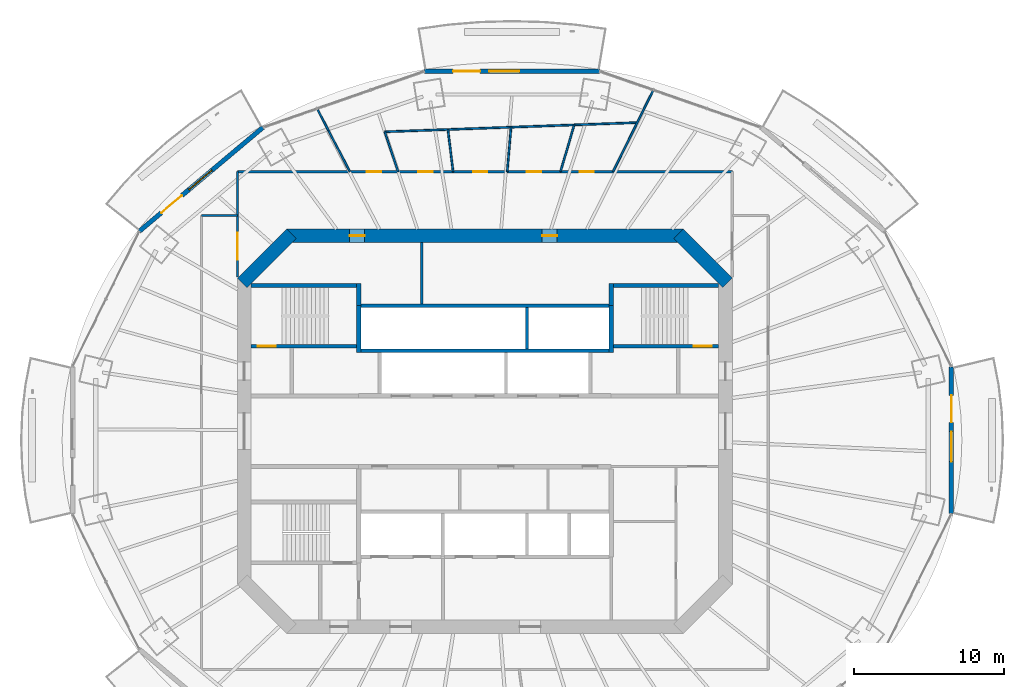
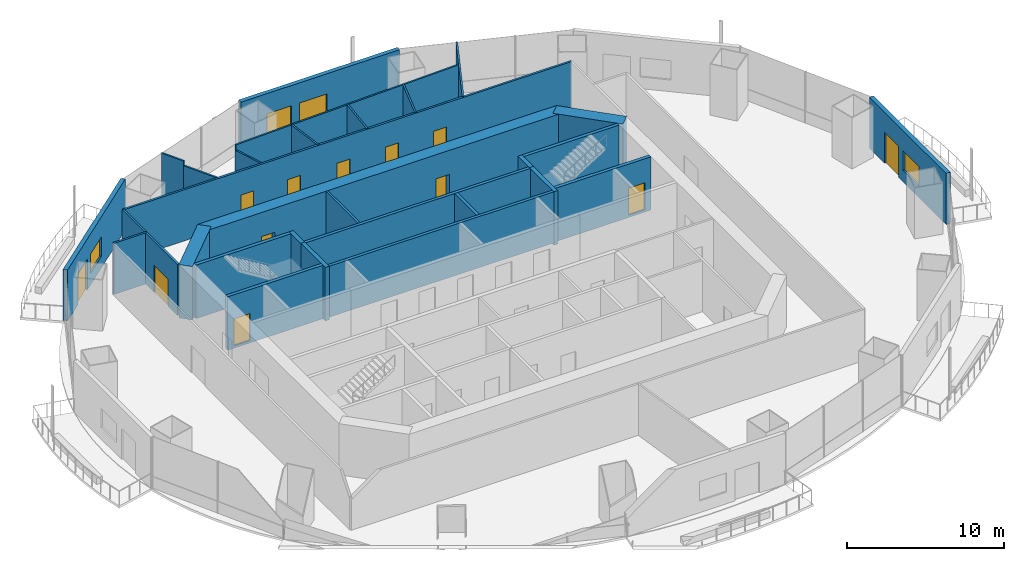
# One storey, part 12 of 19: 29 walls, 13 doors, 3 windows, 16 openings.
"""IFC4 building model written with IfcOpenShell, lengths in metres."""

import ifcopenshell
import ifcopenshell.guid

model = None  # the IFC model being written
_history = None  # IfcOwnerHistory: only IFC2X3 demands one
_inside = {}  # id of a spatial element -> (the spatial element, [elements in it])
_under = {}  # id of a project, library or spatial element -> (it, [spatial elements below it])
_declared = {}  # id of a project -> (the project, [libraries it declares])
_typed = {}  # id of a type object -> (the type object, [elements of that type])
_made_of = {}  # id of a material, layer set ... -> (it, [elements and type objects made of it])


def new_model(schema):
    """Start an empty IFC model of exactly this schema.

    Asked for "IFC4X3", IfcOpenShell would pick the latest addendum, in which some entities
    have other attributes; the version numbers below select the first issue.
    IFC2X3 requires an IfcOwnerHistory on every rooted entity: one is made here for all.
    """
    global model, _history
    if schema == "IFC4X3":
        model = ifcopenshell.file(schema_version=(4, 3, 0, 0))
    else:
        model = ifcopenshell.file(schema=schema)
    _inside.clear()
    _under.clear()
    _declared.clear()
    _typed.clear()
    _made_of.clear()
    _history = None
    if model.schema == "IFC2X3":
        org = make("IfcOrganization", Name="unknown")
        user = make(
            "IfcPersonAndOrganization",
            ThePerson=make("IfcPerson", FamilyName="unknown"),
            TheOrganization=org,
        )
        app = make(
            "IfcApplication",
            ApplicationDeveloper=org,
            Version="unknown",
            ApplicationFullName="unknown",
            ApplicationIdentifier="unknown",
        )
        _history = make(
            "IfcOwnerHistory",
            OwningUser=user,
            OwningApplication=app,
            ChangeAction="ADDED",
            CreationDate=0,
        )
    return model


def make(cls, **values):
    """One entity of the class cls with the attributes given. An attribute that is None is left unset."""
    return model.create_entity(
        cls, **{name: value for name, value in values.items() if value is not None}
    )


def rooted(cls, **values):
    """An entity with a GlobalId (a new one), such as an element, a storey or a relation."""
    return make(cls, GlobalId=ifcopenshell.guid.new(), OwnerHistory=_history, **values)


def si_unit(unit_type, name, prefix=None):
    """IfcSIUnit, for example si_unit("LENGTHUNIT", "METRE", prefix="MILLI")."""
    return make("IfcSIUnit", UnitType=unit_type, Prefix=prefix, Name=name)


def assignment(units):
    """IfcUnitAssignment: the units of a project."""
    return None if units is None else make("IfcUnitAssignment", Units=units)


def point(xyz):
    """IfcCartesianPoint."""
    return None if xyz is None else make("IfcCartesianPoint", Coordinates=xyz)


def direction(xyz):
    """IfcDirection."""
    return None if xyz is None else make("IfcDirection", DirectionRatios=xyz)


def frame(location, z_axis=None, x_axis=None):
    """IfcAxis2Placement3D, a coordinate frame: its origin and axes. An axis left out is left unset."""
    return make(
        "IfcAxis2Placement3D",
        Location=point(location),
        Axis=direction(z_axis),
        RefDirection=direction(x_axis),
    )


def frame_2d(location, x_axis=None):
    """IfcAxis2Placement2D, a coordinate frame in the plane: its origin and x axis."""
    return make(
        "IfcAxis2Placement2D", Location=point(location), RefDirection=direction(x_axis)
    )


def origin():
    """The frame at (0, 0, 0) with its axes left unset."""
    return frame((0.0, 0.0, 0.0))


def place(relative_to, where):
    """IfcLocalPlacement: puts the frame where relative to a parent placement (None: the world)."""
    return make(
        "IfcLocalPlacement", PlacementRelTo=relative_to, RelativePlacement=where
    )


def context(
    kind, dimensions, precision=None, world=None, true_north=None, identifier=None
):
    """IfcGeometricRepresentationContext, for example the 3D "Model" context."""
    return make(
        "IfcGeometricRepresentationContext",
        ContextIdentifier=identifier,
        ContextType=kind,
        CoordinateSpaceDimension=dimensions,
        Precision=precision,
        WorldCoordinateSystem=world,
        TrueNorth=true_north,
    )


def subcontext(parent, identifier, kind, view, scale=None):
    """IfcGeometricRepresentationSubContext, for example "Body" below "Model"."""
    return make(
        "IfcGeometricRepresentationSubContext",
        ContextIdentifier=identifier,
        ContextType=kind,
        ParentContext=parent,
        TargetScale=scale,
        TargetView=view,
    )


def project(units=None, contexts=None):
    """IfcProject with its units and contexts."""
    return rooted(
        "IfcProject",
        Name="project",
        RepresentationContexts=contexts,
        UnitsInContext=assignment(units),
    )


def spatial(cls, under=None, at=None, **own):
    """A site, building, storey or space (cls), placed at a placement, below another one or the project."""
    s = rooted(cls, ObjectPlacement=at, **own)
    if under is not None:
        _under.setdefault(under.id(), (under, []))[1].append(s)
    return s


def profile(cls, at=None, kind="AREA", **sizes):
    """A parametric profile (cls). Its sizes go by their IFC names, for example OverallWidth=200.0."""
    return make(cls, ProfileType=kind, Position=at, **sizes)


def rectangle(**sizes):
    """IfcRectangleProfileDef."""
    return profile("IfcRectangleProfileDef", **sizes)


def extrude(swept, where, along, depth):
    """IfcExtrudedAreaSolid: the profile swept, set in the frame where, extruded along a direction by depth."""
    return make(
        "IfcExtrudedAreaSolid",
        SweptArea=swept,
        Position=where,
        ExtrudedDirection=direction(along),
        Depth=depth,
    )


def shape(context_of_items, identifier, shape_type, items):
    """IfcShapeRepresentation: the items that make up one representation, for example the "Body"."""
    return make(
        "IfcShapeRepresentation",
        ContextOfItems=context_of_items,
        RepresentationIdentifier=identifier,
        RepresentationType=shape_type,
        Items=items,
    )


def material(Name=None, Category=None):
    """IfcMaterial."""
    return make("IfcMaterial", Name=Name, Category=Category)


def layer(
    of_material, thickness, ventilated=None, Name=None, Category=None, Priority=None
):
    """IfcMaterialLayer: one layer of a wall or slab, of a material (None: an air gap)."""
    return make(
        "IfcMaterialLayer",
        Material=of_material,
        LayerThickness=thickness,
        IsVentilated=ventilated,
        Name=Name,
        Category=Category,
        Priority=Priority,
    )


def layer_set(layers, Name=None):
    """IfcMaterialLayerSet."""
    return make("IfcMaterialLayerSet", MaterialLayers=layers, LayerSetName=Name)


def made_of(thing, what):
    """Note that an element or type object is made of a material, layer set ...; save() writes the relation."""
    if what is not None:
        _made_of.setdefault(what.id(), (what, []))[1].append(thing)
    return thing


def type_object(cls, material=None, **own):
    """A type object (cls), such as IfcWallType, which elements share."""
    return made_of(rooted(cls, **own), material)


def element(
    cls,
    number,
    at=None,
    inside=None,
    cuts=None,
    type_object=None,
    material=None,
    context=None,
    identifier="Body",
    shape_type=None,
    held_by="IfcProductDefinitionShape",
    body=None,
    shapes=None,
    **own,
):
    """One element of the class cls, such as IfcWall. Its Tag is "e" and its number.

    at: its placement. inside: the storey or other place that contains it. cuts: it is an
    opening in that element (IfcRelVoidsElement). A single representation is given by context,
    identifier, shape_type and body (its items); several are given by shapes. held_by: the class
    of the entity that holds the representations. save() writes the other relations.
    """
    e = rooted(cls, Tag="e%d" % number, ObjectPlacement=at, **own)
    if body is not None:
        shapes = [shape(context, identifier, shape_type, body)]
    if shapes is not None:
        e.Representation = make(held_by, Representations=shapes)
    if inside is not None:
        _inside.setdefault(inside.id(), (inside, []))[1].append(e)
    if cuts is not None:
        rooted(
            "IfcRelVoidsElement", RelatingBuildingElement=cuts, RelatedOpeningElement=e
        )
    if type_object is not None:
        _typed.setdefault(type_object.id(), (type_object, []))[1].append(e)
    return made_of(e, material)


def fill(opening, filler):
    """IfcRelFillsElement: the door or window that sits in an opening."""
    return rooted(
        "IfcRelFillsElement",
        RelatingOpeningElement=opening,
        RelatedBuildingElement=filler,
    )


def aggregate(whole, parts):
    """IfcRelAggregates: a whole, such as a stair, and the parts it consists of."""
    return rooted("IfcRelAggregates", RelatingObject=whole, RelatedObjects=parts)


def save(model, path):
    """Write the relations noted so far, then the file.

    IfcRelAggregates (storeys below a building ...), IfcRelContainedInSpatialStructure (elements
    in a storey), IfcRelDefinesByType, IfcRelAssociatesMaterial and IfcRelDeclares: one each for
    every whole, place, type object, material and project.
    """
    for whole, parts in _under.values():
        aggregate(whole, parts)
    for where, things in _inside.values():
        rooted(
            "IfcRelContainedInSpatialStructure",
            RelatedElements=things,
            RelatingStructure=where,
        )
    for kind, things in _typed.values():
        rooted("IfcRelDefinesByType", RelatedObjects=things, RelatingType=kind)
    for what, things in _made_of.values():
        rooted("IfcRelAssociatesMaterial", RelatedObjects=things, RelatingMaterial=what)
    for by, libraries in _declared.values():
        rooted("IfcRelDeclares", RelatingContext=by, RelatedDefinitions=libraries)
    model.write(path)


model = new_model("IFC4")

# Units and contexts
model_context = context("Model", 3, precision=1e-05, world=origin(), true_north=direction((0.0, 1.0)))
body_context = subcontext(model_context, "Body", "Model", "MODEL_VIEW")
ifc_project = project(units=[si_unit("LENGTHUNIT", "METRE"), si_unit("AREAUNIT", "SQUARE_METRE"), si_unit("VOLUMEUNIT", "CUBIC_METRE"), si_unit("PLANEANGLEUNIT", "RADIAN"), si_unit("MASSUNIT", "GRAM", prefix="KILO")], contexts=[model_context])

# Site, building, storey
site_placement = place(None, origin())
site = spatial("IfcSite", under=ifc_project, at=site_placement, CompositionType="ELEMENT")
building_placement = place(site_placement, origin())
building = spatial("IfcBuilding", under=site, at=building_placement, Name="Marenthal Gate Tower", CompositionType="ELEMENT")
storey_placement = place(building_placement, frame((0.0, 0.0, 248.199951171875)))
storey = spatial("IfcBuildingStorey", under=building, at=storey_placement, Name="L55", CompositionType="ELEMENT", Elevation=248.199951171875)

# Wall
ifc_material_1 = material(Name="Concrete 60 MPa", Category="concrete")
ifc_layer_1 = layer(ifc_material_1, 0.89990234375)
ifc_layer_set_1 = layer_set([ifc_layer_1], Name="Core shear wall 900")
wall_type_1 = type_object("IfcWallType", Name="Core shear wall 900", PredefinedType="SHEAR", material=ifc_layer_set_1)
wall_1_placement = place(storey_placement, frame((16.1318359375, 9.8681640625, -0.179931640625), z_axis=(0.0, 0.0, 1.0), x_axis=(-0.707106781187, 0.707106781187, 0.0)))
element("IfcWall", 1, at=wall_1_placement, inside=storey, type_object=wall_type_1, Name="Core wall 03", PredefinedType="SHEAR", context=body_context, shape_type="SweptSolid", body=[
    extrude(rectangle(XDim=4.615478515625, YDim=0.89990234375, at=frame_2d((2.3076171875, 0.0))), origin(), (0.0, 0.0, 1.0), 4.14990234375),
])

# Wall, openings, doors
wall_2_placement = place(storey_placement, frame((13.186279296875, 13.0, -0.179931640625), z_axis=(0.0, 0.0, 1.0), x_axis=(-1.0, 0.0, 0.0)))
wall_2 = element("IfcWall", 2, at=wall_2_placement, inside=storey, type_object=wall_type_1, Name="Core wall 04", PredefinedType="SHEAR", context=body_context, shape_type="SweptSolid", body=[
    extrude(rectangle(XDim=26.37255859375, YDim=0.89990234375, at=frame_2d((13.186279296875, 0.0))), origin(), (0.0, 0.0, 1.0), 4.14990234375),
])
opening_1_placement = place(wall_2_placement, frame((21.193359375, 0.0, 0.179931640625)))
opening_1 = element("IfcOpeningElement", 3, at=opening_1_placement, cuts=wall_2, Name="Opening D005.04", PredefinedType="OPENING", context=body_context, shape_type="SweptSolid", body=[
    extrude(rectangle(XDim=1.0, YDim=2.10009765625, at=frame_2d((0.5, 1.050048828125))), frame((0.0, 0.4599609375, 0.0), z_axis=(0.0, -1.0, 0.0), x_axis=(1.0, 0.0, 0.0)), (0.0, 0.0, 1.0), 0.919921875),
])
opening_2_placement = place(wall_2_placement, frame((8.37939453125, 0.0, 0.179931640625)))
opening_2 = element("IfcOpeningElement", 4, at=opening_2_placement, cuts=wall_2, Name="Opening D005.05", PredefinedType="OPENING", context=body_context, shape_type="SweptSolid", body=[
    extrude(rectangle(XDim=1.0, YDim=2.10009765625, at=frame_2d((0.5, 1.050048828125))), frame((0.0, 0.4599609375, 0.0), z_axis=(0.0, -1.0, 0.0), x_axis=(1.0, 0.0, 0.0)), (0.0, 0.0, 1.0), 0.919921875),
])
ifc_material_2 = material(Name="Steel fire door", Category="steel")
door_type_1 = type_object("IfcDoorType", Name="Fire door FD 45 1000 x 2100", OperationType="NOTDEFINED", PredefinedType="DOOR", material=ifc_material_2)
door_1_placement = place(opening_1_placement, origin())
door_1 = element("IfcDoor", 5, at=door_1_placement, inside=storey, type_object=door_type_1, Name="Door D005.04", OperationType="SINGLE_SWING_RIGHT", OverallHeight=2.10009765625, OverallWidth=1.0, PredefinedType="DOOR", context=body_context, shape_type="SweptSolid", body=[
    extrude(rectangle(XDim=1.0, YDim=2.10009765625, at=frame_2d((0.5, 1.050048828125))), frame((0.0, 0.02490234375, 0.0), z_axis=(0.0, -1.0, 0.0), x_axis=(1.0, 0.0, 0.0)), (0.0, 0.0, 1.0), 0.050048828125),
])
fill(opening_1, door_1)
door_2_placement = place(opening_2_placement, origin())
door_2 = element("IfcDoor", 6, at=door_2_placement, inside=storey, type_object=door_type_1, Name="Door D005.05", OperationType="SINGLE_SWING_RIGHT", OverallHeight=2.10009765625, OverallWidth=1.0, PredefinedType="DOOR", context=body_context, shape_type="SweptSolid", body=[
    extrude(rectangle(XDim=1.0, YDim=2.10009765625, at=frame_2d((0.5, 1.050048828125))), frame((0.0, 0.02490234375, 0.0), z_axis=(0.0, -1.0, 0.0), x_axis=(1.0, 0.0, 0.0)), (0.0, 0.0, 1.0), 0.050048828125),
])
fill(opening_2, door_2)

# Walls
wall_3_placement = place(storey_placement, frame((-12.8681640625, 13.1318359375, -0.179931640625), z_axis=(0.0, 0.0, 1.0), x_axis=(-0.707106781187, -0.707106781187, 0.0)))
element("IfcWall", 7, at=wall_3_placement, inside=storey, type_object=wall_type_1, Name="Core wall 05", PredefinedType="SHEAR", context=body_context, shape_type="SweptSolid", body=[
    extrude(rectangle(XDim=4.615478515625, YDim=0.89990234375, at=frame_2d((2.3076171875, 0.0))), origin(), (0.0, 0.0, 1.0), 4.14990234375),
])
ifc_material_3 = material(Name="Concrete 50 MPa", Category="concrete")
ifc_layer_2 = layer(ifc_material_3, 0.300048828125)
ifc_layer_set_2 = layer_set([ifc_layer_2], Name="Hoistway shear wall 300")
wall_type_2 = type_object("IfcWallType", Name="Hoistway shear wall 300", PredefinedType="SHEAR", material=ifc_layer_set_2)
for number, where, z_axis, x_axis, name in (
    (8, (-8.39990234375, 5.239990234375, -0.179931640625), (0.0, 0.0, 1.0), (0.0, 1.0, 0.0), "Hoistway wall 31"),
    (9, (8.39990234375, 5.239990234375, -0.179931640625), (0.0, 0.0, 1.0), (0.0, 1.0, 0.0), "Hoistway wall 46"),
):
    element("IfcWall", number, at=place(storey_placement, frame(where, z_axis=z_axis, x_axis=x_axis)), inside=storey, type_object=wall_type_2, Name=name, PredefinedType="SHEAR", context=body_context, shape_type="SweptSolid", body=[
        extrude(rectangle(XDim=3.110107421875, YDim=0.300048828125, at=frame_2d((1.55517578125, 0.0))), origin(), (0.0, 0.0, 1.0), 4.14990234375),
    ])
ifc_material_4 = material(Name="Concrete 40 MPa", Category="concrete")
ifc_layer_3 = layer(ifc_material_4, 0.219970703125)
ifc_layer_set_3 = layer_set([ifc_layer_3], Name="Hoistway wall 220")
wall_type_3 = type_object("IfcWallType", Name="Hoistway wall 220", PredefinedType="STANDARD", material=ifc_layer_set_3)
for number, where, z_axis, x_axis, name in (
    (10, (-8.25, 5.35009765625, 0.0), (0.0, 0.0, 1.0), (1.0, 0.0, 0.0), "Hoistway wall 21"),
    (11, (-8.25, 8.35009765625, 0.0), (0.0, 0.0, 1.0), (1.0, 0.0, 0.0), "Hoistway wall 24"),
):
    element("IfcWall", number, at=place(storey_placement, frame(where, z_axis=z_axis, x_axis=x_axis)), inside=storey, type_object=wall_type_3, Name=name, PredefinedType="STANDARD", context=body_context, shape_type="SweptSolid", body=[
        extrude(rectangle(XDim=16.5, YDim=0.219970703125, at=frame_2d((8.25, 0.0))), origin(), (0.0, 0.0, 1.0), 3.969970703125),
    ])
wall_4_placement = place(storey_placement, frame((2.800048828125, 5.4599609375, 0.0), z_axis=(0.0, 0.0, 1.0), x_axis=(0.0, 1.0, 0.0)))
element("IfcWall", 12, at=wall_4_placement, inside=storey, type_object=wall_type_3, Name="Hoistway wall 40", PredefinedType="STANDARD", context=body_context, shape_type="SweptSolid", body=[
    extrude(rectangle(XDim=2.780029296875, YDim=0.219970703125, at=frame_2d((1.39013671875, 0.0))), origin(), (0.0, 0.0, 1.0), 3.969970703125),
])
ifc_material_5 = material(Name="Gypsum board on steel studs", Category="steel")
ifc_layer_4 = layer(ifc_material_5, 0.1201171875)
ifc_layer_set_4 = layer_set([ifc_layer_4], Name="Partition 120")
wall_type_4 = type_object("IfcWallType", Name="Partition 120", PredefinedType="PARTITIONING", material=ifc_layer_set_4)
wall_5_placement = place(storey_placement, frame((-8.983642578125, 17.267333984375, 0.0), z_axis=(0.0, 0.0, 1.0), x_axis=(-0.461490331018, 0.887145238604, 0.0)))
element("IfcWall", 13, at=wall_5_placement, inside=storey, type_object=wall_type_4, Name="Partition wall 54", PredefinedType="PARTITIONING", context=body_context, shape_type="SweptSolid", body=[
    extrude(rectangle(XDim=3.072509765625, YDim=0.1201171875, at=frame_2d((1.5361328125, 0.0))), origin(), (0.0, 0.0, 1.0), 3.616943359375),
])
wall_6_placement = place(storey_placement, frame((-10.401611328125, 19.9931640625, 0.0), z_axis=(0.0, 0.0, 1.0), x_axis=(-0.461524233579, 0.887127601769, 0.0)))
element("IfcWall", 14, at=wall_6_placement, inside=storey, type_object=wall_type_4, Name="Partition wall 66", PredefinedType="PARTITIONING", context=body_context, shape_type="SweptSolid", body=[
    extrude(rectangle(XDim=1.658447265625, YDim=0.1201171875, at=frame_2d((0.8291015625, 0.0))), origin(), (0.0, 0.0, 1.0), 3.969970703125),
])
wall_7_placement = place(storey_placement, frame((-6.659912109375, 19.917724609375, 0.0), z_axis=(0.0, 0.0, 1.0), x_axis=(0.317118703872, -0.948385853783, 0.0)))
element("IfcWall", 15, at=wall_7_placement, inside=storey, type_object=wall_type_4, Name="Partition wall 55", PredefinedType="PARTITIONING", context=body_context, shape_type="SweptSolid", body=[
    extrude(rectangle(XDim=2.794677734375, YDim=0.1201171875, at=frame_2d((1.3974609375, 0.0))), origin(), (0.0, 0.0, 1.0), 3.552978515625),
])
wall_8_placement = place(storey_placement, frame((-2.4619140625, 20.07080078125, 0.0), z_axis=(0.0, 0.0, 1.0), x_axis=(0.121704558914, -0.992566370748, 0.0)))
element("IfcWall", 16, at=wall_8_placement, inside=storey, type_object=wall_type_4, Name="Partition wall 56", PredefinedType="PARTITIONING", context=body_context, shape_type="SweptSolid", body=[
    extrude(rectangle(XDim=2.824462890625, YDim=0.1201171875, at=frame_2d((1.412109375, 0.0))), origin(), (0.0, 0.0, 1.0), 3.969970703125),
])
wall_9_placement = place(storey_placement, frame((1.73583984375, 20.223388671875, 0.0), z_axis=(0.0, 0.0, 1.0), x_axis=(-0.08549683198, -0.996338442359, 0.0)))
element("IfcWall", 17, at=wall_9_placement, inside=storey, type_object=wall_type_4, Name="Partition wall 57", PredefinedType="PARTITIONING", context=body_context, shape_type="SweptSolid", body=[
    extrude(rectangle(XDim=2.966796875, YDim=0.1201171875, at=frame_2d((1.4833984375, 0.0))), origin(), (0.0, 0.0, 1.0), 3.969970703125),
])
wall_10_placement = place(storey_placement, frame((5.933837890625, 20.376220703125, 0.0), z_axis=(0.0, 0.0, 1.0), x_axis=(-0.279577259278, -0.960123198394, 0.0)))
element("IfcWall", 18, at=wall_10_placement, inside=storey, type_object=wall_type_4, Name="Partition wall 59", PredefinedType="PARTITIONING", context=body_context, shape_type="SweptSolid", body=[
    extrude(rectangle(XDim=3.238037109375, YDim=0.1201171875, at=frame_2d((1.619140625, 0.0))), origin(), (0.0, 0.0, 1.0), 3.969970703125),
])
wall_11_placement = place(storey_placement, frame((8.52197265625, 17.267333984375, 0.0), z_axis=(0.0, 0.0, 1.0), x_axis=(0.442552062216, 0.896742812755, 0.0)))
element("IfcWall", 19, at=wall_11_placement, inside=storey, type_object=wall_type_4, Name="Partition wall 60", PredefinedType="PARTITIONING", context=body_context, shape_type="SweptSolid", body=[
    extrude(rectangle(XDim=6.062255859375, YDim=0.1201171875, at=frame_2d((3.03125, 0.0))), origin(), (0.0, 0.0, 1.0), 3.969970703125),
])
wall_12_placement = place(storey_placement, frame((10.131591796875, 20.529296875, 0.0), z_axis=(0.0, 0.0, 1.0), x_axis=(-0.999337395221, -0.036397397061, 0.0)))
element("IfcWall", 20, at=wall_12_placement, inside=storey, type_object=wall_type_4, Name="Partition wall 61", PredefinedType="PARTITIONING", context=body_context, shape_type="SweptSolid", body=[
    extrude(rectangle(XDim=16.802734375, YDim=0.1201171875, at=frame_2d((8.4013671875, 0.0))), origin(), (0.0, 0.0, 1.0), 3.969970703125),
])
ifc_material_6 = material(Name="Gypsum board on steel studs", Category="steel")
ifc_layer_5 = layer(ifc_material_6, 0.14990234375)
ifc_layer_set_5 = layer_set([ifc_layer_5], Name="Partition 150")
wall_type_5 = type_object("IfcWallType", Name="Partition 150", PredefinedType="PARTITIONING", material=ifc_layer_set_5)
wall_13_placement = place(storey_placement, frame((-4.199951171875, 8.4599609375, 0.0), z_axis=(0.0, 0.0, 1.0), x_axis=(0.0, 1.0, 0.0)))
element("IfcWall", 21, at=wall_13_placement, inside=storey, type_object=wall_type_5, Name="Partition wall 34", PredefinedType="PARTITIONING", context=body_context, shape_type="SweptSolid", body=[
    extrude(rectangle(XDim=4.090087890625, YDim=0.14990234375, at=frame_2d((2.044921875, 0.0))), origin(), (0.0, 0.0, 1.0), 3.969970703125),
])
wall_14_placement = place(storey_placement, frame((-18.85009765625, 14.357177734375, 0.0), z_axis=(0.0, 0.0, 1.0), x_axis=(1.0, 0.0, 0.0)))
element("IfcWall", 22, at=wall_14_placement, inside=storey, type_object=wall_type_5, Name="Partition wall 51", PredefinedType="PARTITIONING", context=body_context, shape_type="SweptSolid", body=[
    extrude(rectangle(XDim=2.400146484375, YDim=0.14990234375, at=frame_2d((1.2001953125, 0.0))), origin(), (0.0, 0.0, 1.0), 3.969970703125),
])

# Wall, opening, door
wall_15_placement = place(storey_placement, frame((-16.449951171875, 10.25, 0.0), z_axis=(0.0, 0.0, 1.0), x_axis=(0.0, 1.0, 0.0)))
wall_15 = element("IfcWall", 23, at=wall_15_placement, inside=storey, type_object=wall_type_5, Name="Partition wall 52", PredefinedType="PARTITIONING", context=body_context, shape_type="SweptSolid", body=[
    extrude(rectangle(XDim=7.017333984375, YDim=0.14990234375, at=frame_2d((3.5087890625, 0.0))), origin(), (0.0, 0.0, 1.0), 3.969970703125),
])
opening_3_placement = place(wall_15_placement, frame((1.153076171875, 0.0, 0.0)))
opening_3 = element("IfcOpeningElement", 24, at=opening_3_placement, cuts=wall_15, Name="Opening D014.03", PredefinedType="OPENING", context=body_context, shape_type="SweptSolid", body=[
    extrude(rectangle(XDim=1.800048828125, YDim=2.10009765625, at=frame_2d((0.89990234375, 1.050048828125))), frame((0.0, 0.0849609375, 0.0), z_axis=(0.0, -1.0, 0.0), x_axis=(1.0, 0.0, 0.0)), (0.0, 0.0, 1.0), 0.169921875),
])
ifc_material_7 = material(Name="Timber door", Category="wood")
door_type_2 = type_object("IfcDoorType", Name="Double door 1800 x 2100", OperationType="DOUBLE_DOOR_SINGLE_SWING", PredefinedType="DOOR", material=ifc_material_7)
door_3_placement = place(opening_3_placement, origin())
door_3 = element("IfcDoor", 25, at=door_3_placement, inside=storey, type_object=door_type_2, Name="Door D014.03", OperationType="DOUBLE_DOOR_SINGLE_SWING", OverallHeight=2.10009765625, OverallWidth=1.800048828125, PredefinedType="DOOR", context=body_context, shape_type="SweptSolid", body=[
    extrude(rectangle(XDim=1.800048828125, YDim=2.10009765625, at=frame_2d((0.89990234375, 1.050048828125))), frame((0.0, 0.02490234375, 0.0), z_axis=(0.0, -1.0, 0.0), x_axis=(1.0, 0.0, 0.0)), (0.0, 0.0, 1.0), 0.050048828125),
])
fill(opening_3, door_3)

# Wall, openings, doors
wall_16_placement = place(storey_placement, frame((-16.449951171875, 17.267333984375, 0.0), z_axis=(0.0, 0.0, 1.0), x_axis=(1.0, 0.0, 0.0)))
wall_16 = element("IfcWall", 26, at=wall_16_placement, inside=storey, type_object=wall_type_5, Name="Partition wall 53", PredefinedType="PARTITIONING", context=body_context, shape_type="SweptSolid", body=[
    extrude(rectangle(XDim=32.89990234375, YDim=0.14990234375, at=frame_2d((16.449951171875, 0.0))), origin(), (0.0, 0.0, 1.0), 3.969970703125),
])
opening_4_placement = place(wall_16_placement, frame((22.75, 0.0, 0.0)))
opening_4 = element("IfcOpeningElement", 27, at=opening_4_placement, cuts=wall_16, Name="Opening D016.01", PredefinedType="OPENING", context=body_context, shape_type="SweptSolid", body=[
    extrude(rectangle(XDim=0.949951171875, YDim=2.10009765625, at=frame_2d((0.47509765625, 1.050048828125))), frame((0.0, 0.0849609375, 0.0), z_axis=(0.0, -1.0, 0.0), x_axis=(1.0, 0.0, 0.0)), (0.0, 0.0, 1.0), 0.169921875),
])
opening_5_placement = place(wall_16_placement, frame((19.22998046875, 0.0, 0.0)))
opening_5 = element("IfcOpeningElement", 28, at=opening_5_placement, cuts=wall_16, Name="Opening D016.02", PredefinedType="OPENING", context=body_context, shape_type="SweptSolid", body=[
    extrude(rectangle(XDim=0.949951171875, YDim=2.10009765625, at=frame_2d((0.47509765625, 1.050048828125))), frame((0.0, 0.0849609375, 0.0), z_axis=(0.0, -1.0, 0.0), x_axis=(1.0, 0.0, 0.0)), (0.0, 0.0, 1.0), 0.169921875),
])
opening_6_placement = place(wall_16_placement, frame((15.656982421875, 0.0, 0.0)))
opening_6 = element("IfcOpeningElement", 29, at=opening_6_placement, cuts=wall_16, Name="Opening D016.03", PredefinedType="OPENING", context=body_context, shape_type="SweptSolid", body=[
    extrude(rectangle(XDim=0.949951171875, YDim=2.10009765625, at=frame_2d((0.47509765625, 1.050048828125))), frame((0.0, 0.0849609375, 0.0), z_axis=(0.0, -1.0, 0.0), x_axis=(1.0, 0.0, 0.0)), (0.0, 0.0, 1.0), 0.169921875),
])
opening_7_placement = place(wall_16_placement, frame((12.029052734375, 0.0, 0.0)))
opening_7 = element("IfcOpeningElement", 30, at=opening_7_placement, cuts=wall_16, Name="Opening D016.04", PredefinedType="OPENING", context=body_context, shape_type="SweptSolid", body=[
    extrude(rectangle(XDim=0.949951171875, YDim=2.10009765625, at=frame_2d((0.47509765625, 1.050048828125))), frame((0.0, 0.0849609375, 0.0), z_axis=(0.0, -1.0, 0.0), x_axis=(1.0, 0.0, 0.0)), (0.0, 0.0, 1.0), 0.169921875),
])
opening_8_placement = place(wall_16_placement, frame((8.595947265625, 0.0, 0.0)))
opening_8 = element("IfcOpeningElement", 31, at=opening_8_placement, cuts=wall_16, Name="Opening D016.05", PredefinedType="OPENING", context=body_context, shape_type="SweptSolid", body=[
    extrude(rectangle(XDim=0.949951171875, YDim=2.10009765625, at=frame_2d((0.47509765625, 1.050048828125))), frame((0.0, 0.0849609375, 0.0), z_axis=(0.0, -1.0, 0.0), x_axis=(1.0, 0.0, 0.0)), (0.0, 0.0, 1.0), 0.169921875),
])
ifc_material_8 = material(Name="Timber door", Category="wood")
door_type_3 = type_object("IfcDoorType", Name="Door 950 x 2100", OperationType="NOTDEFINED", PredefinedType="DOOR", material=ifc_material_8)
door_4_placement = place(opening_4_placement, origin())
door_4 = element("IfcDoor", 32, at=door_4_placement, inside=storey, type_object=door_type_3, Name="Door D016.01", OperationType="SINGLE_SWING_RIGHT", OverallHeight=2.10009765625, OverallWidth=0.949951171875, PredefinedType="DOOR", context=body_context, shape_type="SweptSolid", body=[
    extrude(rectangle(XDim=0.949951171875, YDim=2.10009765625, at=frame_2d((0.47509765625, 1.050048828125))), frame((0.0, 0.02490234375, 0.0), z_axis=(0.0, -1.0, 0.0), x_axis=(1.0, 0.0, 0.0)), (0.0, 0.0, 1.0), 0.050048828125),
])
fill(opening_4, door_4)
door_5_placement = place(opening_5_placement, origin())
door_5 = element("IfcDoor", 33, at=door_5_placement, inside=storey, type_object=door_type_3, Name="Door D016.02", OperationType="SINGLE_SWING_RIGHT", OverallHeight=2.10009765625, OverallWidth=0.949951171875, PredefinedType="DOOR", context=body_context, shape_type="SweptSolid", body=[
    extrude(rectangle(XDim=0.949951171875, YDim=2.10009765625, at=frame_2d((0.47509765625, 1.050048828125))), frame((0.0, 0.02490234375, 0.0), z_axis=(0.0, -1.0, 0.0), x_axis=(1.0, 0.0, 0.0)), (0.0, 0.0, 1.0), 0.050048828125),
])
fill(opening_5, door_5)
door_6_placement = place(opening_6_placement, origin())
door_6 = element("IfcDoor", 34, at=door_6_placement, inside=storey, type_object=door_type_3, Name="Door D016.03", OperationType="SINGLE_SWING_RIGHT", OverallHeight=2.10009765625, OverallWidth=0.949951171875, PredefinedType="DOOR", context=body_context, shape_type="SweptSolid", body=[
    extrude(rectangle(XDim=0.949951171875, YDim=2.10009765625, at=frame_2d((0.47509765625, 1.050048828125))), frame((0.0, 0.02490234375, 0.0), z_axis=(0.0, -1.0, 0.0), x_axis=(1.0, 0.0, 0.0)), (0.0, 0.0, 1.0), 0.050048828125),
])
fill(opening_6, door_6)
door_7_placement = place(opening_7_placement, origin())
door_7 = element("IfcDoor", 35, at=door_7_placement, inside=storey, type_object=door_type_3, Name="Door D016.04", OperationType="SINGLE_SWING_RIGHT", OverallHeight=2.10009765625, OverallWidth=0.949951171875, PredefinedType="DOOR", context=body_context, shape_type="SweptSolid", body=[
    extrude(rectangle(XDim=0.949951171875, YDim=2.10009765625, at=frame_2d((0.47509765625, 1.050048828125))), frame((0.0, 0.02490234375, 0.0), z_axis=(0.0, -1.0, 0.0), x_axis=(1.0, 0.0, 0.0)), (0.0, 0.0, 1.0), 0.050048828125),
])
fill(opening_7, door_7)
door_8_placement = place(opening_8_placement, origin())
door_8 = element("IfcDoor", 36, at=door_8_placement, inside=storey, type_object=door_type_3, Name="Door D016.05", OperationType="SINGLE_SWING_RIGHT", OverallHeight=2.10009765625, OverallWidth=0.949951171875, PredefinedType="DOOR", context=body_context, shape_type="SweptSolid", body=[
    extrude(rectangle(XDim=0.949951171875, YDim=2.10009765625, at=frame_2d((0.47509765625, 1.050048828125))), frame((0.0, 0.02490234375, 0.0), z_axis=(0.0, -1.0, 0.0), x_axis=(1.0, 0.0, 0.0)), (0.0, 0.0, 1.0), 0.050048828125),
])
fill(opening_8, door_8)

# Wall, opening, door
ifc_material_9 = material(Name="Concrete 50 MPa", Category="concrete")
ifc_layer_6 = layer(ifc_material_9, 0.25)
ifc_layer_set_6 = layer_set([ifc_layer_6], Name="Stair shear wall 250")
wall_type_6 = type_object("IfcWallType", Name="Stair shear wall 250", PredefinedType="SHEAR", material=ifc_layer_set_6)
wall_17_placement = place(storey_placement, frame((-15.550048828125, 5.64990234375, -0.179931640625), z_axis=(0.0, 0.0, 1.0), x_axis=(1.0, 0.0, 0.0)))
wall_17 = element("IfcWall", 37, at=wall_17_placement, inside=storey, type_object=wall_type_6, Name="Stair wall 22", PredefinedType="SHEAR", context=body_context, shape_type="SweptSolid", body=[
    extrude(rectangle(XDim=7.0, YDim=0.25, at=frame_2d((3.5, 0.0))), origin(), (0.0, 0.0, 1.0), 4.14990234375),
])
opening_9_placement = place(wall_17_placement, frame((0.449951171875, 0.0, 0.179931640625)))
opening_9 = element("IfcOpeningElement", 38, at=opening_9_placement, cuts=wall_17, Name="Opening D001.01", PredefinedType="OPENING", context=body_context, shape_type="SweptSolid", body=[
    extrude(rectangle(XDim=1.199951171875, YDim=2.10009765625, at=frame_2d((0.60009765625, 1.050048828125))), frame((0.0, 0.135009765625, 0.0), z_axis=(0.0, -1.0, 0.0), x_axis=(1.0, 0.0, 0.0)), (0.0, 0.0, 1.0), 0.27001953125),
])
ifc_material_10 = material(Name="Steel fire door", Category="steel")
door_type_4 = type_object("IfcDoorType", Name="Fire door FD 90 1200 x 2100", OperationType="NOTDEFINED", PredefinedType="DOOR", material=ifc_material_10)
door_9_placement = place(opening_9_placement, origin())
door_9 = element("IfcDoor", 39, at=door_9_placement, inside=storey, type_object=door_type_4, Name="Door D001.01", OperationType="SINGLE_SWING_RIGHT", OverallHeight=2.10009765625, OverallWidth=1.199951171875, PredefinedType="DOOR", context=body_context, shape_type="SweptSolid", body=[
    extrude(rectangle(XDim=1.199951171875, YDim=2.10009765625, at=frame_2d((0.60009765625, 1.050048828125))), frame((0.0, 0.02490234375, 0.0), z_axis=(0.0, -1.0, 0.0), x_axis=(1.0, 0.0, 0.0)), (0.0, 0.0, 1.0), 0.050048828125),
])
fill(opening_9, door_9)

wall_18_placement = place(storey_placement, frame((8.550048828125, 5.64990234375, -0.179931640625), z_axis=(0.0, 0.0, 1.0), x_axis=(1.0, 0.0, 0.0)))
wall_18 = element("IfcWall", 40, at=wall_18_placement, inside=storey, type_object=wall_type_6, Name="Stair wall 23", PredefinedType="SHEAR", context=body_context, shape_type="SweptSolid", body=[
    extrude(rectangle(XDim=7.0, YDim=0.25, at=frame_2d((3.5, 0.0))), origin(), (0.0, 0.0, 1.0), 4.14990234375),
])
opening_10_placement = place(wall_18_placement, frame((5.35009765625, 0.0, 0.179931640625)))
opening_10 = element("IfcOpeningElement", 41, at=opening_10_placement, cuts=wall_18, Name="Opening D001.02", PredefinedType="OPENING", context=body_context, shape_type="SweptSolid", body=[
    extrude(rectangle(XDim=1.199951171875, YDim=2.10009765625, at=frame_2d((0.60009765625, 1.050048828125))), frame((0.0, 0.135009765625, 0.0), z_axis=(0.0, -1.0, 0.0), x_axis=(1.0, 0.0, 0.0)), (0.0, 0.0, 1.0), 0.27001953125),
])
door_10_placement = place(opening_10_placement, origin())
door_10 = element("IfcDoor", 42, at=door_10_placement, inside=storey, type_object=door_type_4, Name="Door D001.02", OperationType="SINGLE_SWING_RIGHT", OverallHeight=2.10009765625, OverallWidth=1.199951171875, PredefinedType="DOOR", context=body_context, shape_type="SweptSolid", body=[
    extrude(rectangle(XDim=1.199951171875, YDim=2.10009765625, at=frame_2d((0.60009765625, 1.050048828125))), frame((0.0, 0.02490234375, 0.0), z_axis=(0.0, -1.0, 0.0), x_axis=(1.0, 0.0, 0.0)), (0.0, 0.0, 1.0), 0.050048828125),
])
fill(opening_10, door_10)

# Walls
for number, where, z_axis, x_axis, name in (
    (43, (-15.550048828125, 9.699951171875, -0.179931640625), (0.0, 0.0, 1.0), (1.0, 0.0, 0.0), "Stair wall 25"),
    (44, (8.550048828125, 9.699951171875, -0.179931640625), (0.0, 0.0, 1.0), (1.0, 0.0, 0.0), "Stair wall 26"),
):
    element("IfcWall", number, at=place(storey_placement, frame(where, z_axis=z_axis, x_axis=x_axis)), inside=storey, type_object=wall_type_6, Name=name, PredefinedType="SHEAR", context=body_context, shape_type="SweptSolid", body=[
        extrude(rectangle(XDim=7.0, YDim=0.25, at=frame_2d((3.5, 0.0))), origin(), (0.0, 0.0, 1.0), 4.14990234375),
    ])
ifc_material_11 = material(Name="Concrete 50 MPa", Category="concrete")
ifc_layer_7 = layer(ifc_material_11, 0.300048828125)
ifc_layer_set_7 = layer_set([ifc_layer_7], Name="Stair shear wall 300")
wall_type_7 = type_object("IfcWallType", Name="Stair shear wall 300", PredefinedType="SHEAR", material=ifc_layer_set_7)
for number, where, z_axis, x_axis, name in (
    (45, (-8.39990234375, 8.35009765625, -0.179931640625), (0.0, 0.0, 1.0), (0.0, 1.0, 0.0), "Stair wall 32"),
    (46, (8.39990234375, 8.35009765625, -0.179931640625), (0.0, 0.0, 1.0), (0.0, 1.0, 0.0), "Stair wall 47"),
):
    element("IfcWall", number, at=place(storey_placement, frame(where, z_axis=z_axis, x_axis=x_axis)), inside=storey, type_object=wall_type_7, Name=name, PredefinedType="SHEAR", context=body_context, shape_type="SweptSolid", body=[
        extrude(rectangle(XDim=1.474853515625, YDim=0.300048828125, at=frame_2d((0.7373046875, 0.0))), origin(), (0.0, 0.0, 1.0), 4.14990234375),
    ])

# Wall, openings, door, window
ifc_material_12 = material(Name="Terracotta cladding on insulated concrete-block backing", Category="masonry")
ifc_layer_8 = layer(ifc_material_12, 0.300048828125)
ifc_layer_set_8 = layer_set([ifc_layer_8], Name="Terracotta facade wall 300")
wall_type_8 = type_object("IfcWallType", Name="Terracotta facade wall 300", PredefinedType="SOLIDWALL", material=ifc_layer_set_8)
wall_19_placement = place(storey_placement, frame((7.6142578125, 23.952880859375, 0.0), z_axis=(0.0, 0.0, 1.0), x_axis=(-1.0, 0.0, 0.0)))
wall_19 = element("IfcWall", 47, at=wall_19_placement, inside=storey, type_object=wall_type_8, Name="Terracotta facade wall L55 bay 4", PredefinedType="SOLIDWALL", context=body_context, shape_type="SweptSolid", body=[
    extrude(rectangle(XDim=11.628662109375, YDim=0.300048828125, at=frame_2d((5.814453125, 0.0))), origin(), (0.0, 0.0, 1.0), 3.969970703125),
])
opening_11_placement = place(wall_19_placement, frame((7.9287109375, 0.0, 0.0)))
opening_11 = element("IfcOpeningElement", 48, at=opening_11_placement, cuts=wall_19, Name="Opening BD-L55-04", PredefinedType="OPENING", context=body_context, shape_type="SweptSolid", body=[
    extrude(rectangle(XDim=1.800048828125, YDim=2.39990234375, at=frame_2d((0.89990234375, 1.199951171875))), frame((0.0, 0.16015625, 0.0), z_axis=(0.0, -1.0, 0.0), x_axis=(1.0, 0.0, 0.0)), (0.0, 0.0, 1.0), 0.320068359375),
])
opening_12_placement = place(wall_19_placement, frame((5.32861328125, 0.0, 0.89990234375)))
opening_12 = element("IfcOpeningElement", 49, at=opening_12_placement, cuts=wall_19, Name="Opening WN2-L55-04", PredefinedType="OPENING", context=body_context, shape_type="SweptSolid", body=[
    extrude(rectangle(XDim=2.0, YDim=1.5, at=frame_2d((1.0, 0.75))), frame((0.0, 0.16015625, 0.0), z_axis=(0.0, -1.0, 0.0), x_axis=(1.0, 0.0, 0.0)), (0.0, 0.0, 1.0), 0.320068359375),
])
ifc_material_13 = material(Name="Aluminium and glass", Category="aluminium")
door_type_5 = type_object("IfcDoorType", Name="Balcony door 1800x2400", OperationType="DOUBLE_DOOR_SINGLE_SWING", PredefinedType="DOOR", material=ifc_material_13)
door_11_placement = place(opening_11_placement, origin())
door_11 = element("IfcDoor", 50, at=door_11_placement, inside=storey, type_object=door_type_5, Name="Balcony door L55 bay 4", OperationType="SINGLE_SWING_LEFT", OverallHeight=2.39990234375, OverallWidth=1.800048828125, PredefinedType="DOOR", context=body_context, shape_type="SweptSolid", body=[
    extrude(rectangle(XDim=1.800048828125, YDim=2.39990234375, at=frame_2d((0.89990234375, 1.199951171875))), frame((0.0, 0.02490234375, 0.0), z_axis=(0.0, -1.0, 0.0), x_axis=(1.0, 0.0, 0.0)), (0.0, 0.0, 1.0), 0.050048828125),
])
fill(opening_11, door_11)
ifc_material_14 = material(Name="Aluminium and glass", Category="aluminium")
window_type = type_object("IfcWindowType", Name="Window 2000x1500", PartitioningType="DOUBLE_PANEL_VERTICAL", PredefinedType="WINDOW", material=ifc_material_14)
window_1_placement = place(opening_12_placement, origin())
window_1 = element("IfcWindow", 51, at=window_1_placement, inside=storey, type_object=window_type, Name="Window L55 bay 4", OverallHeight=1.5, OverallWidth=2.0, PartitioningType="SINGLE_PANEL", PredefinedType="WINDOW", context=body_context, shape_type="SweptSolid", body=[
    extrude(rectangle(XDim=2.0, YDim=1.5, at=frame_2d((1.0, 0.75))), frame((0.0, 0.030029296875, 0.0), z_axis=(0.0, -1.0, 0.0), x_axis=(1.0, 0.0, 0.0)), (0.0, 0.0, 1.0), 0.06005859375),
])
fill(opening_12, window_1)

wall_20_placement = place(storey_placement, frame((-14.7578125, 20.215087890625, 0.0), z_axis=(0.0, 0.0, 1.0), x_axis=(-0.765697698686, -0.643200617403, 0.0)))
wall_20 = element("IfcWall", 52, at=wall_20_placement, inside=storey, type_object=wall_type_8, Name="Terracotta facade wall L55 bay 6", PredefinedType="SOLIDWALL", context=body_context, shape_type="SweptSolid", body=[
    extrude(rectangle(XDim=10.738525390625, YDim=0.300048828125, at=frame_2d((5.369140625, 0.0))), origin(), (0.0, 0.0, 1.0), 3.969970703125),
])
opening_13_placement = place(wall_20_placement, frame((7.03857421875, 0.0, 0.0)))
opening_13 = element("IfcOpeningElement", 53, at=opening_13_placement, cuts=wall_20, Name="Opening BD-L55-06", PredefinedType="OPENING", context=body_context, shape_type="SweptSolid", body=[
    extrude(rectangle(XDim=1.800048828125, YDim=2.39990234375, at=frame_2d((0.89990234375, 1.199951171875))), frame((0.0, 0.16015625, 0.0), z_axis=(0.0, -1.0, 0.0), x_axis=(1.0, 0.0, 0.0)), (0.0, 0.0, 1.0), 0.320068359375),
])
opening_14_placement = place(wall_20_placement, frame((4.4384765625, 0.0, 0.89990234375)))
opening_14 = element("IfcOpeningElement", 54, at=opening_14_placement, cuts=wall_20, Name="Opening WN2-L55-06", PredefinedType="OPENING", context=body_context, shape_type="SweptSolid", body=[
    extrude(rectangle(XDim=2.0, YDim=1.5, at=frame_2d((1.0, 0.75))), frame((0.0, 0.16015625, 0.0), z_axis=(0.0, -1.0, 0.0), x_axis=(1.0, 0.0, 0.0)), (0.0, 0.0, 1.0), 0.320068359375),
])
door_12_placement = place(opening_13_placement, origin())
door_12 = element("IfcDoor", 55, at=door_12_placement, inside=storey, type_object=door_type_5, Name="Balcony door L55 bay 6", OperationType="SINGLE_SWING_LEFT", OverallHeight=2.39990234375, OverallWidth=1.800048828125, PredefinedType="DOOR", context=body_context, shape_type="SweptSolid", body=[
    extrude(rectangle(XDim=1.800048828125, YDim=2.39990234375, at=frame_2d((0.89990234375, 1.199951171875))), frame((0.0, 0.02490234375, 0.0), z_axis=(0.0, -1.0, 0.0), x_axis=(1.0, 0.0, 0.0)), (0.0, 0.0, 1.0), 0.050048828125),
])
fill(opening_13, door_12)
window_2_placement = place(opening_14_placement, origin())
window_2 = element("IfcWindow", 56, at=window_2_placement, inside=storey, type_object=window_type, Name="Window L55 bay 6", OverallHeight=1.5, OverallWidth=2.0, PartitioningType="SINGLE_PANEL", PredefinedType="WINDOW", context=body_context, shape_type="SweptSolid", body=[
    extrude(rectangle(XDim=2.0, YDim=1.5, at=frame_2d((1.0, 0.75))), frame((0.0, 0.030029296875, 0.0), z_axis=(0.0, -1.0, 0.0), x_axis=(1.0, 0.0, 0.0)), (0.0, 0.0, 1.0), 0.06005859375),
])
fill(opening_14, window_2)

wall_21_placement = place(storey_placement, frame((31.0302734375, -5.48388671875, 0.0), z_axis=(0.0, 0.0, 1.0), x_axis=(0.0, 1.0, 0.0)))
wall_21 = element("IfcWall", 57, at=wall_21_placement, inside=storey, type_object=wall_type_8, Name="Terracotta facade wall L55 bay 16", PredefinedType="SOLIDWALL", context=body_context, shape_type="SweptSolid", body=[
    extrude(rectangle(XDim=9.767822265625, YDim=0.300048828125, at=frame_2d((4.8837890625, 0.0))), origin(), (0.0, 0.0, 1.0), 3.969970703125),
])
opening_15_placement = place(wall_21_placement, frame((6.06787109375, 0.0, 0.0)))
opening_15 = element("IfcOpeningElement", 58, at=opening_15_placement, cuts=wall_21, Name="Opening BD-L55-16", PredefinedType="OPENING", context=body_context, shape_type="SweptSolid", body=[
    extrude(rectangle(XDim=1.800048828125, YDim=2.39990234375, at=frame_2d((0.89990234375, 1.199951171875))), frame((0.0, 0.16015625, 0.0), z_axis=(0.0, -1.0, 0.0), x_axis=(1.0, 0.0, 0.0)), (0.0, 0.0, 1.0), 0.320068359375),
])
opening_16_placement = place(wall_21_placement, frame((3.4677734375, 0.0, 0.89990234375)))
opening_16 = element("IfcOpeningElement", 59, at=opening_16_placement, cuts=wall_21, Name="Opening WN2-L55-16", PredefinedType="OPENING", context=body_context, shape_type="SweptSolid", body=[
    extrude(rectangle(XDim=2.0, YDim=1.5, at=frame_2d((1.0, 0.75))), frame((0.0, 0.16015625, 0.0), z_axis=(0.0, -1.0, 0.0), x_axis=(1.0, 0.0, 0.0)), (0.0, 0.0, 1.0), 0.320068359375),
])
door_13_placement = place(opening_15_placement, origin())
door_13 = element("IfcDoor", 60, at=door_13_placement, inside=storey, type_object=door_type_5, Name="Balcony door L55 bay 16", OperationType="SINGLE_SWING_LEFT", OverallHeight=2.39990234375, OverallWidth=1.800048828125, PredefinedType="DOOR", context=body_context, shape_type="SweptSolid", body=[
    extrude(rectangle(XDim=1.800048828125, YDim=2.39990234375, at=frame_2d((0.89990234375, 1.199951171875))), frame((0.0, 0.02490234375, 0.0), z_axis=(0.0, -1.0, 0.0), x_axis=(1.0, 0.0, 0.0)), (0.0, 0.0, 1.0), 0.050048828125),
])
fill(opening_15, door_13)
window_3_placement = place(opening_16_placement, origin())
window_3 = element("IfcWindow", 61, at=window_3_placement, inside=storey, type_object=window_type, Name="Window L55 bay 16", OverallHeight=1.5, OverallWidth=2.0, PartitioningType="SINGLE_PANEL", PredefinedType="WINDOW", context=body_context, shape_type="SweptSolid", body=[
    extrude(rectangle(XDim=2.0, YDim=1.5, at=frame_2d((1.0, 0.75))), frame((0.0, 0.030029296875, 0.0), z_axis=(0.0, -1.0, 0.0), x_axis=(1.0, 0.0, 0.0)), (0.0, 0.0, 1.0), 0.06005859375),
])
fill(opening_16, window_3)

save(model, "model.ifc")
